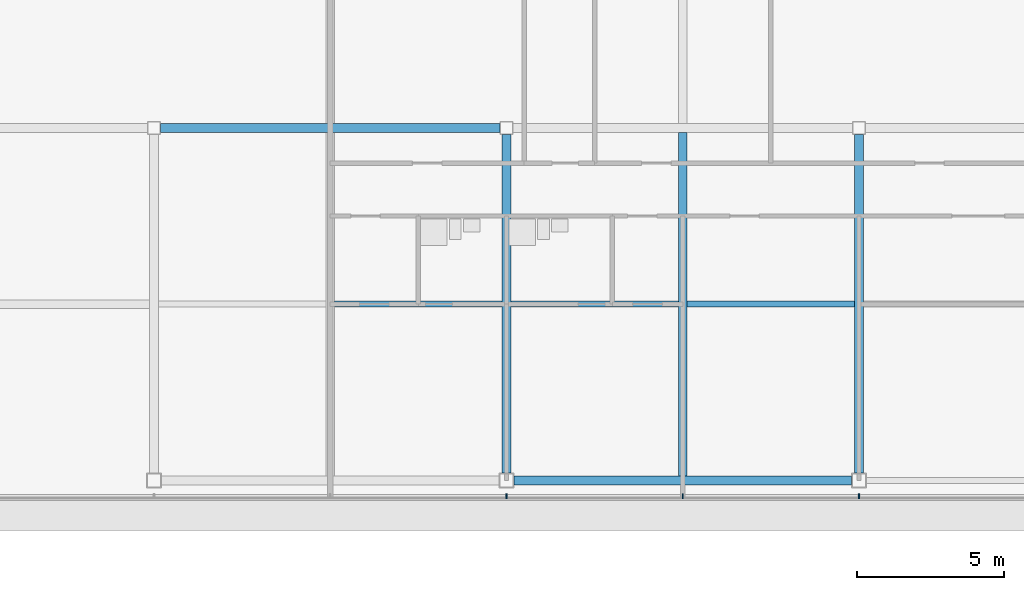
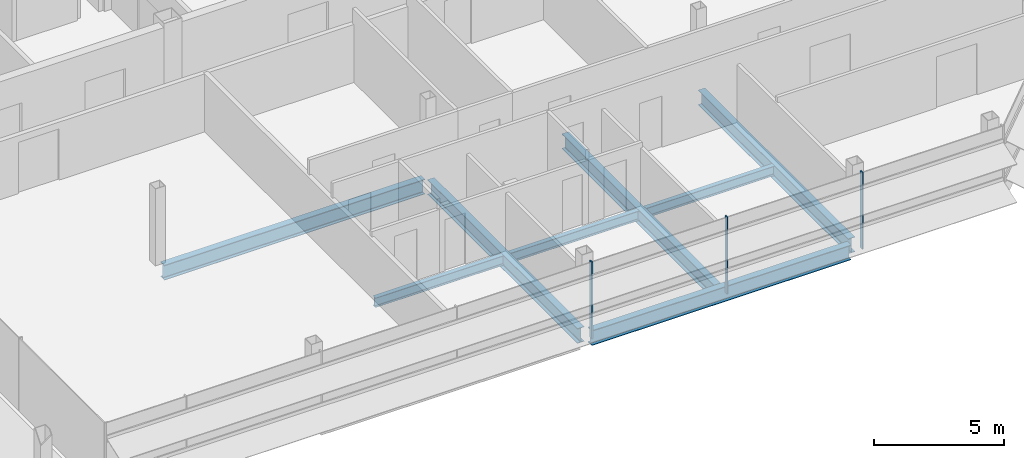
# One storey, part 12 of 31: 8 beams, 3 members, 1 element without a shape of its own.
"""IFC4 building model written with IfcOpenShell, lengths in metres."""

import ifcopenshell
import ifcopenshell.guid

model = None  # the IFC model being written
_history = None  # IfcOwnerHistory: only IFC2X3 demands one
_inside = {}  # id of a spatial element -> (the spatial element, [elements in it])
_under = {}  # id of a project, library or spatial element -> (it, [spatial elements below it])
_declared = {}  # id of a project -> (the project, [libraries it declares])
_typed = {}  # id of a type object -> (the type object, [elements of that type])
_made_of = {}  # id of a material, layer set ... -> (it, [elements and type objects made of it])


def new_model(schema):
    """Start an empty IFC model of exactly this schema.

    Asked for "IFC4X3", IfcOpenShell would pick the latest addendum, in which some entities
    have other attributes; the version numbers below select the first issue.
    IFC2X3 requires an IfcOwnerHistory on every rooted entity: one is made here for all.
    """
    global model, _history
    if schema == "IFC4X3":
        model = ifcopenshell.file(schema_version=(4, 3, 0, 0))
    else:
        model = ifcopenshell.file(schema=schema)
    _inside.clear()
    _under.clear()
    _declared.clear()
    _typed.clear()
    _made_of.clear()
    _history = None
    if model.schema == "IFC2X3":
        org = make("IfcOrganization", Name="unknown")
        user = make(
            "IfcPersonAndOrganization",
            ThePerson=make("IfcPerson", FamilyName="unknown"),
            TheOrganization=org,
        )
        app = make(
            "IfcApplication",
            ApplicationDeveloper=org,
            Version="unknown",
            ApplicationFullName="unknown",
            ApplicationIdentifier="unknown",
        )
        _history = make(
            "IfcOwnerHistory",
            OwningUser=user,
            OwningApplication=app,
            ChangeAction="ADDED",
            CreationDate=0,
        )
    return model


def make(cls, **values):
    """One entity of the class cls with the attributes given. An attribute that is None is left unset."""
    return model.create_entity(
        cls, **{name: value for name, value in values.items() if value is not None}
    )


def rooted(cls, **values):
    """An entity with a GlobalId (a new one), such as an element, a storey or a relation."""
    return make(cls, GlobalId=ifcopenshell.guid.new(), OwnerHistory=_history, **values)


def si_unit(unit_type, name, prefix=None):
    """IfcSIUnit, for example si_unit("LENGTHUNIT", "METRE", prefix="MILLI")."""
    return make("IfcSIUnit", UnitType=unit_type, Prefix=prefix, Name=name)


def assignment(units):
    """IfcUnitAssignment: the units of a project."""
    return None if units is None else make("IfcUnitAssignment", Units=units)


def point(xyz):
    """IfcCartesianPoint."""
    return None if xyz is None else make("IfcCartesianPoint", Coordinates=xyz)


def direction(xyz):
    """IfcDirection."""
    return None if xyz is None else make("IfcDirection", DirectionRatios=xyz)


def frame(location, z_axis=None, x_axis=None):
    """IfcAxis2Placement3D, a coordinate frame: its origin and axes. An axis left out is left unset."""
    return make(
        "IfcAxis2Placement3D",
        Location=point(location),
        Axis=direction(z_axis),
        RefDirection=direction(x_axis),
    )


def frame_2d(location, x_axis=None):
    """IfcAxis2Placement2D, a coordinate frame in the plane: its origin and x axis."""
    return make(
        "IfcAxis2Placement2D", Location=point(location), RefDirection=direction(x_axis)
    )


def origin():
    """The frame at (0, 0, 0) with its axes left unset."""
    return frame((0.0, 0.0, 0.0))


def origin_2d():
    """The frame at (0, 0) in the plane with its x axis left unset."""
    return frame_2d((0.0, 0.0))


def place(relative_to, where):
    """IfcLocalPlacement: puts the frame where relative to a parent placement (None: the world)."""
    return make(
        "IfcLocalPlacement", PlacementRelTo=relative_to, RelativePlacement=where
    )


def context(
    kind, dimensions, precision=None, world=None, true_north=None, identifier=None
):
    """IfcGeometricRepresentationContext, for example the 3D "Model" context."""
    return make(
        "IfcGeometricRepresentationContext",
        ContextIdentifier=identifier,
        ContextType=kind,
        CoordinateSpaceDimension=dimensions,
        Precision=precision,
        WorldCoordinateSystem=world,
        TrueNorth=true_north,
    )


def subcontext(parent, identifier, kind, view, scale=None):
    """IfcGeometricRepresentationSubContext, for example "Body" below "Model"."""
    return make(
        "IfcGeometricRepresentationSubContext",
        ContextIdentifier=identifier,
        ContextType=kind,
        ParentContext=parent,
        TargetScale=scale,
        TargetView=view,
    )


def project(units=None, contexts=None):
    """IfcProject with its units and contexts."""
    return rooted(
        "IfcProject",
        Name="project",
        RepresentationContexts=contexts,
        UnitsInContext=assignment(units),
    )


def spatial(cls, under=None, at=None, **own):
    """A site, building, storey or space (cls), placed at a placement, below another one or the project."""
    s = rooted(cls, ObjectPlacement=at, **own)
    if under is not None:
        _under.setdefault(under.id(), (under, []))[1].append(s)
    return s


def profile(cls, at=None, kind="AREA", **sizes):
    """A parametric profile (cls). Its sizes go by their IFC names, for example OverallWidth=200.0."""
    return make(cls, ProfileType=kind, Position=at, **sizes)


def rectangle(**sizes):
    """IfcRectangleProfileDef."""
    return profile("IfcRectangleProfileDef", **sizes)


def i_section(**sizes):
    """IfcIShapeProfileDef."""
    return profile("IfcIShapeProfileDef", **sizes)


def extrude(swept, where, along, depth):
    """IfcExtrudedAreaSolid: the profile swept, set in the frame where, extruded along a direction by depth."""
    return make(
        "IfcExtrudedAreaSolid",
        SweptArea=swept,
        Position=where,
        ExtrudedDirection=direction(along),
        Depth=depth,
    )


def shape(context_of_items, identifier, shape_type, items):
    """IfcShapeRepresentation: the items that make up one representation, for example the "Body"."""
    return make(
        "IfcShapeRepresentation",
        ContextOfItems=context_of_items,
        RepresentationIdentifier=identifier,
        RepresentationType=shape_type,
        Items=items,
    )


def material(Name=None, Category=None):
    """IfcMaterial."""
    return make("IfcMaterial", Name=Name, Category=Category)


def material_profile(
    of_material, cross_section, Name=None, Category=None, Priority=None
):
    """IfcMaterialProfile: a cross section and its material."""
    return make(
        "IfcMaterialProfile",
        Name=Name,
        Material=of_material,
        Profile=cross_section,
        Priority=Priority,
        Category=Category,
    )


def profile_set(profiles, Name=None, composite=None):
    """IfcMaterialProfileSet."""
    return make(
        "IfcMaterialProfileSet",
        Name=Name,
        MaterialProfiles=profiles,
        CompositeProfile=composite,
    )


def made_of(thing, what):
    """Note that an element or type object is made of a material, layer set ...; save() writes the relation."""
    if what is not None:
        _made_of.setdefault(what.id(), (what, []))[1].append(thing)
    return thing


def type_object(cls, material=None, **own):
    """A type object (cls), such as IfcWallType, which elements share."""
    return made_of(rooted(cls, **own), material)


def element(
    cls,
    number,
    at=None,
    inside=None,
    cuts=None,
    type_object=None,
    material=None,
    context=None,
    identifier="Body",
    shape_type=None,
    held_by="IfcProductDefinitionShape",
    body=None,
    shapes=None,
    **own,
):
    """One element of the class cls, such as IfcWall. Its Tag is "e" and its number.

    at: its placement. inside: the storey or other place that contains it. cuts: it is an
    opening in that element (IfcRelVoidsElement). A single representation is given by context,
    identifier, shape_type and body (its items); several are given by shapes. held_by: the class
    of the entity that holds the representations. save() writes the other relations.
    """
    e = rooted(cls, Tag="e%d" % number, ObjectPlacement=at, **own)
    if body is not None:
        shapes = [shape(context, identifier, shape_type, body)]
    if shapes is not None:
        e.Representation = make(held_by, Representations=shapes)
    if inside is not None:
        _inside.setdefault(inside.id(), (inside, []))[1].append(e)
    if cuts is not None:
        rooted(
            "IfcRelVoidsElement", RelatingBuildingElement=cuts, RelatedOpeningElement=e
        )
    if type_object is not None:
        _typed.setdefault(type_object.id(), (type_object, []))[1].append(e)
    return made_of(e, material)


def aggregate(whole, parts):
    """IfcRelAggregates: a whole, such as a stair, and the parts it consists of."""
    return rooted("IfcRelAggregates", RelatingObject=whole, RelatedObjects=parts)


def save(model, path):
    """Write the relations noted so far, then the file.

    IfcRelAggregates (storeys below a building ...), IfcRelContainedInSpatialStructure (elements
    in a storey), IfcRelDefinesByType, IfcRelAssociatesMaterial and IfcRelDeclares: one each for
    every whole, place, type object, material and project.
    """
    for whole, parts in _under.values():
        aggregate(whole, parts)
    for where, things in _inside.values():
        rooted(
            "IfcRelContainedInSpatialStructure",
            RelatedElements=things,
            RelatingStructure=where,
        )
    for kind, things in _typed.values():
        rooted("IfcRelDefinesByType", RelatedObjects=things, RelatingType=kind)
    for what, things in _made_of.values():
        rooted("IfcRelAssociatesMaterial", RelatedObjects=things, RelatingMaterial=what)
    for by, libraries in _declared.values():
        rooted("IfcRelDeclares", RelatingContext=by, RelatedDefinitions=libraries)
    model.write(path)


model = new_model("IFC4")

# Units and contexts
model_context = context("Model", 3, precision=1e-05, world=origin(), true_north=direction((0.0, 1.0)))
body_context = subcontext(model_context, "Body", "Model", "MODEL_VIEW")
ifc_project = project(units=[si_unit("LENGTHUNIT", "METRE"), si_unit("AREAUNIT", "SQUARE_METRE"), si_unit("VOLUMEUNIT", "CUBIC_METRE"), si_unit("PLANEANGLEUNIT", "RADIAN"), si_unit("MASSUNIT", "GRAM", prefix="KILO")], contexts=[model_context])

# Site, building, storey
site_placement = place(None, origin())
site = spatial("IfcSite", under=ifc_project, at=site_placement, CompositionType="ELEMENT")
building_placement = place(site_placement, origin())
building = spatial("IfcBuilding", under=site, at=building_placement, Name="Sorahane Residences", CompositionType="ELEMENT")
storey_placement = place(building_placement, frame((0.0, 0.0, 319.60009765625)))
storey = spatial("IfcBuildingStorey", under=building, at=storey_placement, Name="L76", CompositionType="ELEMENT", Elevation=319.60009765625)

# Curtain wall, members
ifc_material_1 = material(Name="Dark low-e glass and black anodised aluminium", Category="aluminium")
curtain_wall_type = type_object("IfcCurtainWallType", Name="Curtain wall CW-1 Typical unitised wall", PredefinedType="NOTDEFINED", material=ifc_material_1)
curtain_wall_placement = place(storey_placement, origin())
curtain_wall = element("IfcCurtainWall", 1, at=curtain_wall_placement, inside=storey, type_object=curtain_wall_type, Name="CW-1 curtain wall L76 S2", PredefinedType="NOTDEFINED")
ifc_material_2 = material(Name="Black anodised aluminium", Category="aluminium")
ifc_material_profile_1 = material_profile(ifc_material_2, rectangle(XDim=0.159912109375, YDim=0.050048828125, at=origin_2d()), Name="Curtain wall mullion CW-1 black anodised aluminium 50x160")
ifc_profile_set_1 = profile_set([ifc_material_profile_1], Name="Black anodised aluminium")
member_type = type_object("IfcMemberType", Name="Curtain wall mullion CW-1 black anodised aluminium 50x160", PredefinedType="MULLION", material=ifc_profile_set_1)
member_1_placement = place(storey_placement, frame((24.0, -0.5400390625, -0.18017578125), z_axis=(0.0, 0.0, 1.0), x_axis=(0.0, -1.0, 0.0)))
member_1 = element("IfcMember", 2, at=member_1_placement, type_object=member_type, Name="CW-1 mullion L76 S2.5", PredefinedType="MULLION", context=body_context, shape_type="SweptSolid", body=[
    extrude(rectangle(XDim=0.159912109375, YDim=0.050048828125, at=origin_2d()), origin(), (0.0, 0.0, 1.0), 3.60009765625),
])
member_2_placement = place(storey_placement, frame((30.0, -0.5400390625, -0.18017578125), z_axis=(0.0, 0.0, 1.0), x_axis=(0.0, -1.0, 0.0)))
member_2 = element("IfcMember", 3, at=member_2_placement, type_object=member_type, Name="CW-1 mullion L76 S2.6", PredefinedType="MULLION", context=body_context, shape_type="SweptSolid", body=[
    extrude(rectangle(XDim=0.159912109375, YDim=0.050048828125, at=origin_2d()), origin(), (0.0, 0.0, 1.0), 3.60009765625),
])
member_3_placement = place(storey_placement, frame((36.0, -0.5400390625, -0.18017578125), z_axis=(0.0, 0.0, 1.0), x_axis=(0.0, -1.0, 0.0)))
member_3 = element("IfcMember", 4, at=member_3_placement, type_object=member_type, Name="CW-1 mullion L76 S2.7", PredefinedType="MULLION", context=body_context, shape_type="SweptSolid", body=[
    extrude(rectangle(XDim=0.159912109375, YDim=0.050048828125, at=origin_2d()), origin(), (0.0, 0.0, 1.0), 3.60009765625),
])
aggregate(curtain_wall, [member_1, member_2, member_3])

# Beams
ifc_material_3 = material(Name="Steel Q355B", Category="steel")
ifc_material_profile_2 = material_profile(ifc_material_3, i_section(OverallWidth=0.199951171875, OverallDepth=0.449951171875, WebThickness=0.009033203125, FlangeThickness=0.013916015625, FilletRadius=0.02001953125, at=origin_2d()), Name="HN 450x200x9x14")
ifc_profile_set_2 = profile_set([ifc_material_profile_2], Name="Steel Q355B")
beam_type_1 = type_object("IfcBeamType", Name="Steel floor beam HN 450x200x9x14 Q355B", PredefinedType="BEAM", material=ifc_profile_set_2)
for number, where, z_axis, x_axis, name in (
    (5, (18.14990234375, 6.0, -0.405029296875), (1.0, 0.0, 0.0), (0.0, 1.0, 0.0), "Beam L76 069"),
    (6, (24.14990234375, 6.0, -0.405029296875), (1.0, 0.0, 0.0), (0.0, 1.0, 0.0), "Beam L76 070"),
    (7, (30.14990234375, 6.0, -0.405029296875), (1.0, 0.0, 0.0), (0.0, 1.0, 0.0), "Beam L76 071"),
):
    element("IfcBeam", number, at=place(storey_placement, frame(where, z_axis=z_axis, x_axis=x_axis)), inside=storey, type_object=beam_type_1, Name=name, PredefinedType="BEAM", context=body_context, shape_type="SweptSolid", body=[
        extrude(i_section(OverallWidth=0.199951171875, OverallDepth=0.449951171875, WebThickness=0.009033203125, FlangeThickness=0.013916015625, FilletRadius=0.02001953125, at=origin_2d()), origin(), (0.0, 0.0, 1.0), 5.7001953125),
    ])
ifc_material_4 = material(Name="Steel Q355B", Category="steel")
ifc_material_profile_3 = material_profile(ifc_material_4, i_section(OverallWidth=0.300048828125, OverallDepth=0.699951171875, WebThickness=0.012939453125, FlangeThickness=0.02392578125, FilletRadius=0.028076171875, at=origin_2d()), Name="HN 700x300x13x24")
ifc_profile_set_3 = profile_set([ifc_material_profile_3], Name="Steel Q355B")
beam_type_2 = type_object("IfcBeamType", Name="Steel floor beam HN 700x300x13x24 Q355B", PredefinedType="BEAM", material=ifc_profile_set_3)
beam_1_placement = place(storey_placement, frame((24.25, 0.0, -0.530029296875), z_axis=(1.0, 0.0, 0.0), x_axis=(0.0, 1.0, 0.0)))
element("IfcBeam", 8, at=beam_1_placement, inside=storey, type_object=beam_type_2, Name="Beam L76 003", PredefinedType="BEAM", context=body_context, shape_type="SweptSolid", body=[
    extrude(i_section(OverallWidth=0.300048828125, OverallDepth=0.699951171875, WebThickness=0.012939453125, FlangeThickness=0.02392578125, FilletRadius=0.028076171875, at=origin_2d()), origin(), (0.0, 0.0, 1.0), 11.5),
])
beam_2_placement = place(storey_placement, frame((12.22509765625, 12.0, -0.530029296875), z_axis=(1.0, 0.0, 0.0), x_axis=(0.0, 1.0, 0.0)))
element("IfcBeam", 9, at=beam_2_placement, inside=storey, type_object=beam_type_2, Name="Beam L76 008", PredefinedType="BEAM", context=body_context, shape_type="SweptSolid", body=[
    extrude(i_section(OverallWidth=0.300048828125, OverallDepth=0.699951171875, WebThickness=0.012939453125, FlangeThickness=0.02392578125, FilletRadius=0.028076171875, at=origin_2d()), origin(), (0.0, 0.0, 1.0), 11.5498046875),
])
beam_3_placement = place(storey_placement, frame((24.0, 0.25, -0.530029296875), z_axis=(0.0, 1.0, 0.0), x_axis=(-1.0, 0.0, 0.0)))
element("IfcBeam", 10, at=beam_3_placement, inside=storey, type_object=beam_type_2, Name="Beam L76 045", PredefinedType="BEAM", context=body_context, shape_type="SweptSolid", body=[
    extrude(i_section(OverallWidth=0.300048828125, OverallDepth=0.699951171875, WebThickness=0.012939453125, FlangeThickness=0.02392578125, FilletRadius=0.028076171875, at=origin_2d()), origin(), (0.0, 0.0, 1.0), 11.52490234375),
])
beam_4_placement = place(storey_placement, frame((30.0, 0.14990234375, -0.530029296875), z_axis=(0.0, 1.0, 0.0), x_axis=(-1.0, 0.0, 0.0)))
element("IfcBeam", 11, at=beam_4_placement, inside=storey, type_object=beam_type_2, Name="Beam L76 047", PredefinedType="BEAM", context=body_context, shape_type="SweptSolid", body=[
    extrude(i_section(OverallWidth=0.300048828125, OverallDepth=0.699951171875, WebThickness=0.012939453125, FlangeThickness=0.02392578125, FilletRadius=0.028076171875, at=origin_2d()), origin(), (0.0, 0.0, 1.0), 11.7001953125),
])
beam_5_placement = place(storey_placement, frame((36.0, 0.25, -0.530029296875), z_axis=(0.0, 1.0, 0.0), x_axis=(-1.0, 0.0, 0.0)))
element("IfcBeam", 12, at=beam_5_placement, inside=storey, type_object=beam_type_2, Name="Beam L76 053", PredefinedType="BEAM", context=body_context, shape_type="SweptSolid", body=[
    extrude(i_section(OverallWidth=0.300048828125, OverallDepth=0.699951171875, WebThickness=0.012939453125, FlangeThickness=0.02392578125, FilletRadius=0.028076171875, at=origin_2d()), origin(), (0.0, 0.0, 1.0), 11.52490234375),
])

save(model, "model.ifc")
